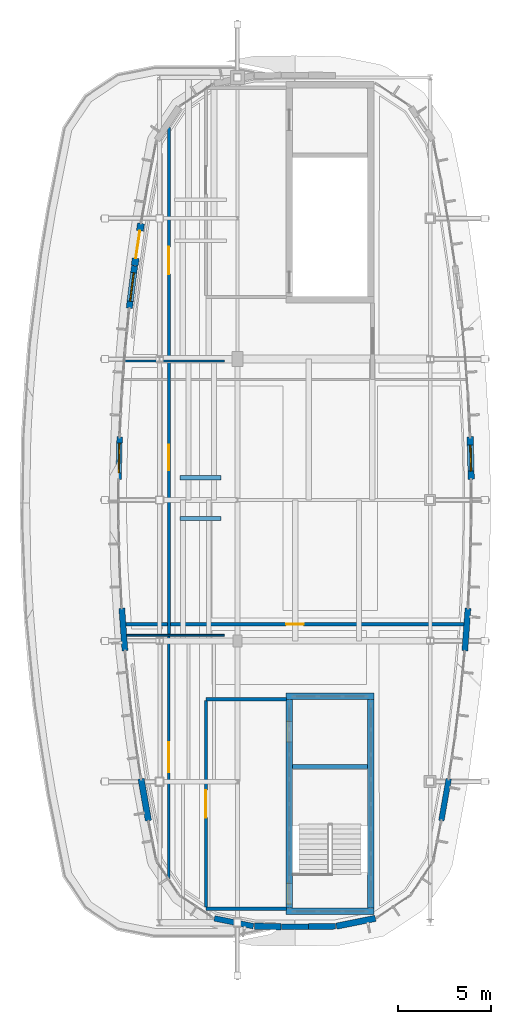
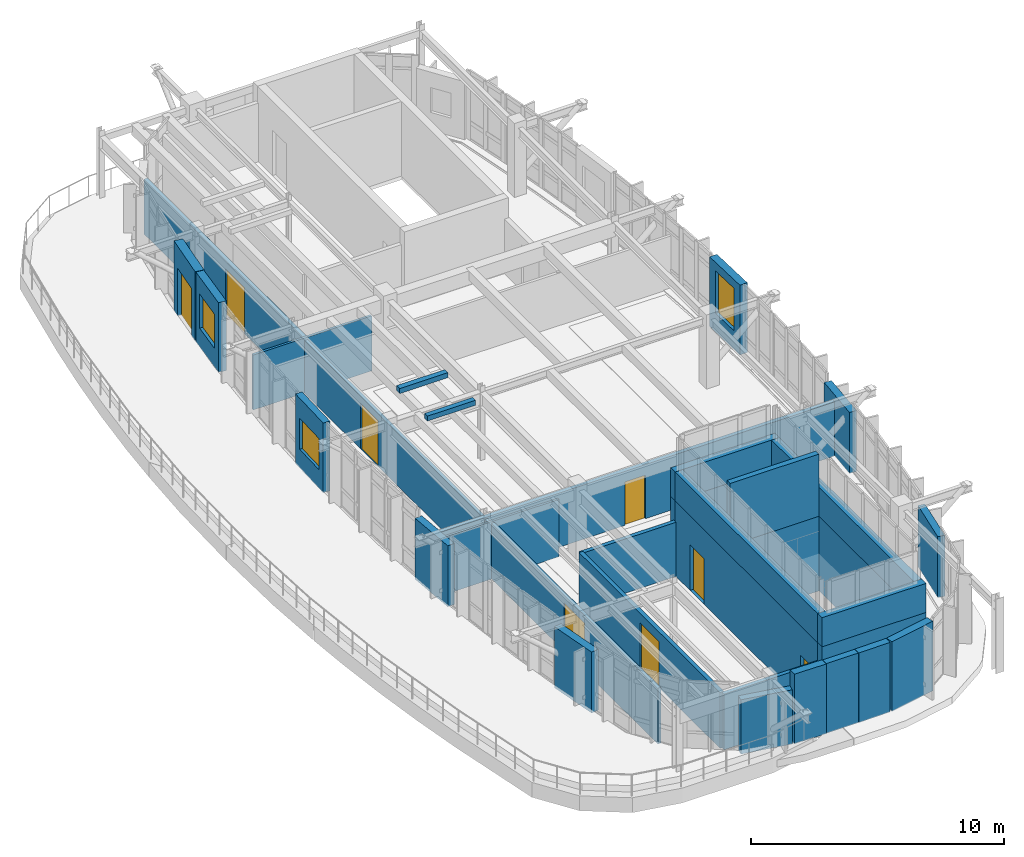
# One storey, part 16 of 20: 34 walls, 8 doors, 3 windows, 11 openings.
"""IFC4 building model written with IfcOpenShell, lengths in metres."""

from ifc_helpers import new_model, si_unit, direction, frame, frame_2d, origin, place, context, subcontext, project, spatial, rectangle, extrude, material, layer, layer_set, type_object, element, fill, save


model = new_model("IFC4")

# Units and contexts
model_context = context("Model", 3, precision=1e-05, world=origin(), true_north=direction((0.0, 1.0)))
body_context = subcontext(model_context, "Body", "Model", "MODEL_VIEW")
ifc_project = project(units=[si_unit("LENGTHUNIT", "METRE"), si_unit("AREAUNIT", "SQUARE_METRE"), si_unit("VOLUMEUNIT", "CUBIC_METRE"), si_unit("PLANEANGLEUNIT", "RADIAN"), si_unit("MASSUNIT", "GRAM", prefix="KILO")], contexts=[model_context])

# Site, building, storey
site_placement = place(None, origin())
site = spatial("IfcSite", under=ifc_project, at=site_placement, CompositionType="ELEMENT")
building_placement = place(site_placement, origin())
building = spatial("IfcBuilding", under=site, at=building_placement, Name="Corveleigh Park Community Centre", CompositionType="ELEMENT")
storey_placement = place(building_placement, frame((0.0, 0.0, 19.800048828125)))
storey = spatial("IfcBuildingStorey", under=building, at=storey_placement, Name="L05", CompositionType="ELEMENT", Elevation=19.800048828125)

# Walls
ifc_material_1 = material(Name="Precast concrete C40/50", Category="concrete")
ifc_layer_1 = layer(ifc_material_1, 0.300048828125, Name="Precast concrete C40/50", Category="concrete")
ifc_layer_set_1 = layer_set([ifc_layer_1], Name="Precast concrete C40/50")
wall_type_1 = type_object("IfcWallType", Name="WL-EXT-300", PredefinedType="STANDARD", material=ifc_layer_set_1)
wall_1_placement = place(storey_placement, frame((161.8291015625, 58.376953125, 0.0), z_axis=(0.0, 0.0, 1.0), x_axis=(-1.0, 0.0, 0.0)))
element("IfcWall", 1, at=wall_1_placement, inside=storey, type_object=wall_type_1, Name="V4 L05 Precast Facade Wall", PredefinedType="STANDARD", context=body_context, shape_type="SweptSolid", body=[
    extrude(rectangle(XDim=1.4580078125, YDim=0.300048828125, at=frame_2d((0.72900390625, 0.0))), origin(), (0.0, 0.0, 1.0), 3.364013671875),
])
wall_2_placement = place(storey_placement, frame((169.40087890625, 66.35888671875, 0.0), z_axis=(0.0, 0.0, 1.0), x_axis=(-0.17402169586, -0.984741818636, 0.0)))
element("IfcWall", 2, at=wall_2_placement, inside=storey, type_object=wall_type_1, Name="V4 L05 Precast Facade Wall", PredefinedType="STANDARD", context=body_context, shape_type="SweptSolid", body=[
    extrude(rectangle(XDim=2.298095703125, YDim=0.300048828125, at=frame_2d((1.14892578125, 0.0))), origin(), (0.0, 0.0, 1.0), 2.94287109375),
])

# Wall, opening, window
wall_3_placement = place(storey_placement, frame((151.5849609375, 82.51708984375, 0.0), z_axis=(0.0, 0.0, 1.0), x_axis=(0.025300278118, 0.999679896731, 0.0)))
wall_3 = element("IfcWall", 3, at=wall_3_placement, inside=storey, type_object=wall_type_1, Name="V4 L05 Precast Facade Wall", PredefinedType="STANDARD", context=body_context, shape_type="SweptSolid", body=[
    extrude(rectangle(XDim=2.296630859375, YDim=0.300048828125, at=frame_2d((1.1484375, 0.0))), origin(), (0.0, 0.0, 1.0), 3.364013671875),
])
opening_1_placement = place(wall_3_placement, frame((0.34912109375, 0.0, 0.89990234375)))
opening_1 = element("IfcOpeningElement", 4, at=opening_1_placement, cuts=wall_3, Name="Opening W13", PredefinedType="OPENING", context=body_context, shape_type="SweptSolid", body=[
    extrude(rectangle(XDim=1.60009765625, YDim=1.5, at=frame_2d((0.800048828125, 0.75))), frame((0.0, 0.159912109375, 0.0), z_axis=(0.0, -1.0, 0.0), x_axis=(1.0, 0.0, 0.0)), (0.0, 0.0, 1.0), 0.320068359375),
])
ifc_material_2 = material(Name="Low-E double glazing", Category="glass")
window_type_1 = type_object("IfcWindowType", Name="WIN-EXT-1600x1500", PartitioningType="SINGLE_PANEL", PredefinedType="WINDOW", material=ifc_material_2)
window_1_placement = place(opening_1_placement, origin())
window_1 = element("IfcWindow", 5, at=window_1_placement, inside=storey, type_object=window_type_1, Name="V4 L05 Window 85", OverallHeight=1.5, OverallWidth=1.60009765625, PartitioningType="SINGLE_PANEL", PredefinedType="WINDOW", context=body_context, shape_type="SweptSolid", body=[
    extrude(rectangle(XDim=1.60009765625, YDim=1.5, at=frame_2d((0.800048828125, 0.75))), frame((0.0, 0.030029296875, 0.0), z_axis=(0.0, -1.0, 0.0), x_axis=(1.0, 0.0, 0.0)), (0.0, 0.0, 1.0), 0.06005859375),
])
fill(opening_1, window_1)

# Walls
wall_4_placement = place(storey_placement, frame((158.864013671875, 58.405029296875, 0.0), z_axis=(0.0, 0.0, 1.0), x_axis=(-0.980837468909, 0.19482776903, 0.0)))
element("IfcWall", 6, at=wall_4_placement, inside=storey, type_object=wall_type_1, Name="V4 L05 Precast Facade Wall", PredefinedType="STANDARD", context=body_context, shape_type="SweptSolid", body=[
    extrude(rectangle(XDim=2.150390625, YDim=0.300048828125, at=frame_2d((1.0751953125, 0.0))), origin(), (0.0, 0.0, 1.0), 2.619873046875),
])
ifc_layer_2 = layer(ifc_material_1, 0.320068359375, Name="Precast concrete C40/50", Category="concrete")
ifc_layer_set_2 = layer_set([ifc_layer_2], Name="Precast concrete C40/50")
wall_type_2 = type_object("IfcWallType", Name="WL-EXT-320", PredefinedType="STANDARD", material=ifc_layer_set_2)
wall_5_placement = place(storey_placement, frame((163.2880859375, 58.39990234375, 0.0), z_axis=(0.0, 0.0, 1.0), x_axis=(-0.999873578357, -0.015900544132, 0.0)))
element("IfcWall", 7, at=wall_5_placement, inside=storey, type_object=wall_type_2, Name="V4 L05 Precast Facade Wall", PredefinedType="STANDARD", context=body_context, shape_type="SweptSolid", body=[
    extrude(rectangle(XDim=1.443359375, YDim=0.320068359375, at=frame_2d((0.7216796875, 0.0))), origin(), (0.0, 0.0, 1.0), 3.364013671875),
])
for number, where, z_axis, x_axis, name in (
    (8, (170.43994140625, 75.55810546875, 0.0), (0.0, 0.0, 1.0), (-0.074356858535, -0.997231697044, 0.0), "V4 L05 Precast Facade Wall"),
    (9, (151.930908203125, 73.26611328125, 0.0), (0.0, 0.0, 1.0), (-0.074356858535, 0.997231697044, 0.0), "V4 L05 Precast Facade Wall"),
):
    element("IfcWall", number, at=place(storey_placement, frame(where, z_axis=z_axis, x_axis=x_axis)), inside=storey, type_object=wall_type_2, Name=name, PredefinedType="STANDARD", context=body_context, shape_type="SweptSolid", body=[
        extrude(rectangle(XDim=2.29833984375, YDim=0.320068359375, at=frame_2d((1.149169921875, 0.0))), origin(), (0.0, 0.0, 1.0), 2.94287109375),
    ])
ifc_layer_3 = layer(ifc_material_1, 0.340087890625, Name="Precast concrete C40/50", Category="concrete")
ifc_layer_set_3 = layer_set([ifc_layer_3], Name="Precast concrete C40/50")
wall_type_3 = type_object("IfcWallType", Name="WL-EXT-340", PredefinedType="STANDARD", material=ifc_layer_set_3)
wall_6_placement = place(storey_placement, frame((160.35498046875, 58.376953125, 0.0), z_axis=(0.0, 0.0, 1.0), x_axis=(-0.999873535579, 0.015903233899, 0.0)))
element("IfcWall", 10, at=wall_6_placement, inside=storey, type_object=wall_type_3, Name="V4 L05 Precast Facade Wall", PredefinedType="STANDARD", context=body_context, shape_type="SweptSolid", body=[
    extrude(rectangle(XDim=1.443115234375, YDim=0.340087890625, at=frame_2d((0.7216796875, 0.0))), origin(), (0.0, 0.0, 1.0), 3.364013671875),
])
wall_7_placement = place(storey_placement, frame((165.445068359375, 58.823974609375, 0.0), z_axis=(0.0, 0.0, 1.0), x_axis=(-0.980837468909, -0.19482776903, 0.0)))
element("IfcWall", 11, at=wall_7_placement, inside=storey, type_object=wall_type_3, Name="V4 L05 Precast Facade Wall", PredefinedType="STANDARD", context=body_context, shape_type="SweptSolid", body=[
    extrude(rectangle(XDim=2.150390625, YDim=0.340087890625, at=frame_2d((1.0751953125, 0.0))), origin(), (0.0, 0.0, 1.0), 3.364013671875),
])

# Wall, opening, window
wall_8_placement = place(storey_placement, frame((170.556884765625, 84.81298828125, 0.0), z_axis=(0.0, 0.0, 1.0), x_axis=(0.025300278118, -0.999679896731, 0.0)))
wall_8 = element("IfcWall", 12, at=wall_8_placement, inside=storey, type_object=wall_type_3, Name="V4 L05 Precast Facade Wall", PredefinedType="STANDARD", context=body_context, shape_type="SweptSolid", body=[
    extrude(rectangle(XDim=2.296630859375, YDim=0.340087890625, at=frame_2d((1.1484375, 0.0))), origin(), (0.0, 0.0, 1.0), 3.364013671875),
])
opening_2_placement = place(wall_8_placement, frame((0.448974609375, 0.0, 0.89990234375)))
opening_2 = element("IfcOpeningElement", 13, at=opening_2_placement, cuts=wall_8, Name="Opening W09", PredefinedType="OPENING", context=body_context, shape_type="SweptSolid", body=[
    extrude(rectangle(XDim=1.39990234375, YDim=2.050048828125, at=frame_2d((0.699951171875, 1.02490234375))), frame((0.0, 0.179931640625, 0.0), z_axis=(0.0, -1.0, 0.0), x_axis=(1.0, 0.0, 0.0)), (0.0, 0.0, 1.0), 0.360107421875),
])
window_type_2 = type_object("IfcWindowType", Name="WIN-EXT-1400x2050", PartitioningType="SINGLE_PANEL", PredefinedType="WINDOW", material=ifc_material_2)
window_2_placement = place(opening_2_placement, origin())
window_2 = element("IfcWindow", 14, at=window_2_placement, inside=storey, type_object=window_type_2, Name="V4 L05 Window 81", OverallHeight=2.050048828125, OverallWidth=1.39990234375, PartitioningType="SINGLE_PANEL", PredefinedType="WINDOW", context=body_context, shape_type="SweptSolid", body=[
    extrude(rectangle(XDim=1.39990234375, YDim=2.050048828125, at=frame_2d((0.699951171875, 1.02490234375))), frame((0.0, 0.030029296875, 0.0), z_axis=(0.0, -1.0, 0.0), x_axis=(1.0, 0.0, 0.0)), (0.0, 0.0, 1.0), 0.06005859375),
])
fill(opening_2, window_2)

wall_9_placement = place(storey_placement, frame((152.1640625, 91.7548828125, 0.0), z_axis=(0.0, 0.0, 1.0), x_axis=(0.124832313753, 0.992177853735, 0.0)))
wall_9 = element("IfcWall", 15, at=wall_9_placement, inside=storey, type_object=wall_type_3, Name="V4 L05 Precast Facade Wall", PredefinedType="STANDARD", context=body_context, shape_type="SweptSolid", body=[
    extrude(rectangle(XDim=2.298095703125, YDim=0.340087890625, at=frame_2d((1.14892578125, 0.0))), origin(), (0.0, 0.0, 1.0), 3.364013671875),
])
opening_3_placement = place(wall_9_placement, frame((0.3740234375, 0.0, 0.89990234375)))
opening_3 = element("IfcOpeningElement", 16, at=opening_3_placement, cuts=wall_9, Name="Opening W12", PredefinedType="OPENING", context=body_context, shape_type="SweptSolid", body=[
    extrude(rectangle(XDim=1.550048828125, YDim=1.64990234375, at=frame_2d((0.77490234375, 0.824951171875))), frame((0.0, 0.179931640625, 0.0), z_axis=(0.0, -1.0, 0.0), x_axis=(1.0, 0.0, 0.0)), (0.0, 0.0, 1.0), 0.360107421875),
])
window_type_3 = type_object("IfcWindowType", Name="WIN-EXT-1550x1650", PartitioningType="SINGLE_PANEL", PredefinedType="WINDOW", material=ifc_material_2)
window_3_placement = place(opening_3_placement, origin())
window_3 = element("IfcWindow", 17, at=window_3_placement, inside=storey, type_object=window_type_3, Name="V4 L05 Window 84", OverallHeight=1.64990234375, OverallWidth=1.550048828125, PartitioningType="SINGLE_PANEL", PredefinedType="WINDOW", context=body_context, shape_type="SweptSolid", body=[
    extrude(rectangle(XDim=1.550048828125, YDim=1.64990234375, at=frame_2d((0.77490234375, 0.824951171875))), frame((0.0, 0.030029296875, 0.0), z_axis=(0.0, -1.0, 0.0), x_axis=(1.0, 0.0, 0.0)), (0.0, 0.0, 1.0), 0.06005859375),
])
fill(opening_3, window_3)

# Wall
wall_10_placement = place(storey_placement, frame((153.198974609375, 64.095947265625, 0.0), z_axis=(0.0, 0.0, 1.0), x_axis=(-0.17402169586, 0.984741818636, 0.0)))
element("IfcWall", 18, at=wall_10_placement, inside=storey, type_object=wall_type_3, Name="V4 L05 Precast Facade Wall", PredefinedType="STANDARD", context=body_context, shape_type="SweptSolid", body=[
    extrude(rectangle(XDim=2.298095703125, YDim=0.340087890625, at=frame_2d((1.14892578125, 0.0))), origin(), (0.0, 0.0, 1.0), 2.94287109375),
])

# Wall, opening, door
ifc_layer_4 = layer(ifc_material_1, 0.3798828125, Name="Precast concrete C40/50", Category="concrete")
ifc_layer_set_4 = layer_set([ifc_layer_4], Name="Precast concrete C40/50")
wall_type_4 = type_object("IfcWallType", Name="WL-EXT-380", PredefinedType="STANDARD", material=ifc_layer_set_4)
wall_11_placement = place(storey_placement, frame((152.452880859375, 94.051025390625, 0.0), z_axis=(0.0, 0.0, 1.0), x_axis=(0.149286014315, 0.988794056379, 0.0)))
wall_11 = element("IfcWall", 19, at=wall_11_placement, inside=storey, type_object=wall_type_4, Name="V4 terrace wall", PredefinedType="STANDARD", context=body_context, shape_type="SweptSolid", body=[
    extrude(rectangle(XDim=2.297607421875, YDim=0.3798828125, at=frame_2d((1.14892578125, 0.0))), origin(), (0.0, 0.0, 1.0), 3.364013671875),
])
opening_4_placement = place(wall_11_placement, frame((0.39892578125, 0.0, 0.0)))
opening_4 = element("IfcOpeningElement", 20, at=opening_4_placement, cuts=wall_11, Name="Opening ED04", PredefinedType="OPENING", context=body_context, shape_type="SweptSolid", body=[
    extrude(rectangle(XDim=1.5, YDim=2.300048828125, at=frame_2d((0.75, 1.14990234375))), frame((0.0, 0.199951171875, 0.0), z_axis=(0.0, -1.0, 0.0), x_axis=(1.0, 0.0, 0.0)), (0.0, 0.0, 1.0), 0.39990234375),
])
ifc_material_3 = material(Name="Powder-coated aluminium glazed door", Category="aluminium")
door_type_1 = type_object("IfcDoorType", Name="DR-EXT-1500x2300", OperationType="DOUBLE_DOOR_SINGLE_SWING", PredefinedType="DOOR", material=ifc_material_3)
door_1_placement = place(opening_4_placement, origin())
door_1 = element("IfcDoor", 21, at=door_1_placement, inside=storey, type_object=door_type_1, Name="Step 5 Crown Botanical Terrace access door", OperationType="DOUBLE_DOOR_SINGLE_SWING", OverallHeight=2.300048828125, OverallWidth=1.5, PredefinedType="DOOR", context=body_context, shape_type="SweptSolid", body=[
    extrude(rectangle(XDim=1.5, YDim=2.300048828125, at=frame_2d((0.75, 1.14990234375))), frame((0.0, 0.02490234375, 0.0), z_axis=(0.0, -1.0, 0.0), x_axis=(1.0, 0.0, 0.0)), (0.0, 0.0, 1.0), 0.050048828125),
])
fill(opening_4, door_1)

# Walls
ifc_layer_5 = layer(ifc_material_1, 0.22509765625, Name="Precast concrete C40/50", Category="concrete")
ifc_layer_set_5 = layer_set([ifc_layer_5], Name="Precast concrete C40/50")
wall_type_5 = type_object("IfcWallType", Name="WL-PRP-225", PredefinedType="PARAPET", material=ifc_layer_set_5)
wall_12_placement = place(storey_placement, frame((154.89990234375, 80.39990234375, 3.599853515625), z_axis=(0.0, 0.0, 1.0), x_axis=(1.0, 0.0, 0.0)))
element("IfcWall", 22, at=wall_12_placement, inside=storey, type_object=wall_type_5, Name="Skylight upstand curb parapet 7", PredefinedType="PARAPET", context=body_context, shape_type="SweptSolid", body=[
    extrude(rectangle(XDim=2.2001953125, YDim=0.22509765625, at=frame_2d((1.10009765625, 0.0))), origin(), (0.0, 0.0, 1.0), 0.239990234375),
])
ifc_layer_6 = layer(ifc_material_1, 0.2451171875, Name="Precast concrete C40/50", Category="concrete")
ifc_layer_set_6 = layer_set([ifc_layer_6], Name="Precast concrete C40/50")
wall_type_6 = type_object("IfcWallType", Name="WL-PRP-245", PredefinedType="PARAPET", material=ifc_layer_set_6)
wall_13_placement = place(storey_placement, frame((157.10009765625, 82.60009765625, 3.599853515625), z_axis=(0.0, 0.0, 1.0), x_axis=(-1.0, 0.0, 0.0)))
element("IfcWall", 23, at=wall_13_placement, inside=storey, type_object=wall_type_6, Name="Skylight upstand curb parapet 8", PredefinedType="PARAPET", context=body_context, shape_type="SweptSolid", body=[
    extrude(rectangle(XDim=2.2001953125, YDim=0.2451171875, at=frame_2d((1.10009765625, 0.0))), origin(), (0.0, 0.0, 1.0), 0.239990234375),
])
ifc_material_4 = material(Name="Gypsum acoustic stud partition", Category="gypsum")
ifc_layer_7 = layer(ifc_material_4, 0.10009765625, Name="Gypsum acoustic stud partition", Category="gypsum")
ifc_layer_set_7 = layer_set([ifc_layer_7], Name="Gypsum acoustic stud partition")
wall_type_7 = type_object("IfcWallType", Name="WL-PRT-100", PredefinedType="PARTITIONING", material=ifc_layer_set_7)
wall_14_placement = place(storey_placement, frame((152.01708984375, 74.10009765625, 0.0), z_axis=(0.0, 0.0, 1.0), x_axis=(1.0, 0.0, 0.0)))
element("IfcWall", 24, at=wall_14_placement, inside=storey, type_object=wall_type_7, Name="Environmental Science Classroom partition", PredefinedType="PARTITIONING", context=body_context, shape_type="SweptSolid", body=[
    extrude(rectangle(XDim=5.282958984375, YDim=0.10009765625, at=frame_2d((2.6416015625, 0.0))), origin(), (0.0, 0.0, 1.0), 2.766845703125),
])
ifc_layer_8 = layer(ifc_material_4, 0.114990234375, Name="Gypsum acoustic stud partition", Category="gypsum")
ifc_layer_set_8 = layer_set([ifc_layer_8], Name="Gypsum acoustic stud partition")
wall_type_8 = type_object("IfcWallType", Name="WL-PRT-115", PredefinedType="PARTITIONING", material=ifc_layer_set_8)
wall_15_placement = place(storey_placement, frame((151.89111328125, 88.89990234375, 0.0), z_axis=(0.0, 0.0, 1.0), x_axis=(1.0, 0.0, 0.0)))
element("IfcWall", 25, at=wall_15_placement, inside=storey, type_object=wall_type_8, Name="Trust Administration Suite partition", PredefinedType="PARTITIONING", context=body_context, shape_type="SweptSolid", body=[
    extrude(rectangle(XDim=5.408935546875, YDim=0.114990234375, at=frame_2d((2.70458984375, 0.0))), origin(), (0.0, 0.0, 1.0), 2.64990234375),
])

# Wall, opening, door
ifc_layer_9 = layer(ifc_material_4, 0.139892578125, Name="Gypsum acoustic stud partition", Category="gypsum")
ifc_layer_set_9 = layer_set([ifc_layer_9], Name="Gypsum acoustic stud partition")
wall_type_9 = type_object("IfcWallType", Name="WL-PRT-140", PredefinedType="PARTITIONING", material=ifc_layer_set_9)
wall_16_placement = place(storey_placement, frame((154.300048828125, 74.10009765625, 0.0), z_axis=(0.0, 0.0, 1.0), x_axis=(0.0, -1.0, 0.0)))
wall_16 = element("IfcWall", 26, at=wall_16_placement, inside=storey, type_object=wall_type_9, Name="Environmental Science Classroom corridor wall", PredefinedType="PARTITIONING", context=body_context, shape_type="SweptSolid", body=[
    extrude(rectangle(XDim=13.18701171875, YDim=0.139892578125, at=frame_2d((6.593505859375, 0.0))), origin(), (0.0, 0.0, 1.0), 2.69189453125),
])
opening_5_placement = place(wall_16_placement, frame((5.782958984375, 0.0, 0.0)))
opening_5 = element("IfcOpeningElement", 27, at=opening_5_placement, cuts=wall_16, Name="Opening FD07", PredefinedType="OPENING", context=body_context, shape_type="SweptSolid", body=[
    extrude(rectangle(XDim=1.6201171875, YDim=2.320068359375, at=frame_2d((0.81005859375, 1.16015625))), frame((0.0, 0.079833984375, 0.0), z_axis=(0.0, -1.0, 0.0), x_axis=(1.0, 0.0, 0.0)), (0.0, 0.0, 1.0), 0.159912109375),
])
ifc_material_5 = material(Name="Hardwood acoustic door leaf", Category="wood")
door_type_2 = type_object("IfcDoorType", Name="DR-FIR-1620x2320", OperationType="DOUBLE_DOOR_SINGLE_SWING", PredefinedType="DOOR", material=ifc_material_5)
door_2_placement = place(opening_5_placement, origin())
door_2 = element("IfcDoor", 28, at=door_2_placement, inside=storey, type_object=door_type_2, Name="Environmental Science Classroom door", OperationType="DOUBLE_DOOR_SINGLE_SWING", OverallHeight=2.320068359375, OverallWidth=1.6201171875, PredefinedType="DOOR", context=body_context, shape_type="SweptSolid", body=[
    extrude(rectangle(XDim=1.6201171875, YDim=2.320068359375, at=frame_2d((0.81005859375, 1.16015625))), frame((0.0, 0.02490234375, 0.0), z_axis=(0.0, -1.0, 0.0), x_axis=(1.0, 0.0, 0.0)), (0.0, 0.0, 1.0), 0.050048828125),
])
fill(opening_5, door_2)

ifc_layer_10 = layer(ifc_material_4, 0.14990234375, Name="Gypsum acoustic stud partition", Category="gypsum")
ifc_layer_set_10 = layer_set([ifc_layer_10], Name="Gypsum acoustic stud partition")
wall_type_10 = type_object("IfcWallType", Name="WL-PRT-150", PredefinedType="PARTITIONING", material=ifc_layer_set_10)
wall_17_placement = place(storey_placement, frame((154.300048828125, 88.89990234375, 0.0), z_axis=(0.0, 0.0, 1.0), x_axis=(0.0, -1.0, 0.0)))
wall_17 = element("IfcWall", 29, at=wall_17_placement, inside=storey, type_object=wall_type_10, Name="Trust Administration Suite corridor wall", PredefinedType="PARTITIONING", context=body_context, shape_type="SweptSolid", body=[
    extrude(rectangle(XDim=14.7998046875, YDim=0.14990234375, at=frame_2d((7.39990234375, 0.0))), origin(), (0.0, 0.0, 1.0), 2.537841796875),
])
opening_6_placement = place(wall_17_placement, frame((4.510009765625, 0.0, 0.0)))
opening_6 = element("IfcOpeningElement", 30, at=opening_6_placement, cuts=wall_17, Name="Opening FD02", PredefinedType="OPENING", context=body_context, shape_type="SweptSolid", body=[
    extrude(rectangle(XDim=1.3798828125, YDim=2.199951171875, at=frame_2d((0.68994140625, 1.10009765625))), frame((0.0, 0.0849609375, 0.0), z_axis=(0.0, -1.0, 0.0), x_axis=(1.0, 0.0, 0.0)), (0.0, 0.0, 1.0), 0.169921875),
])
door_type_3 = type_object("IfcDoorType", Name="DR-FIR-1380x2200", OperationType="DOUBLE_DOOR_SINGLE_SWING", PredefinedType="DOOR", material=ifc_material_5)
door_3_placement = place(opening_6_placement, origin())
door_3 = element("IfcDoor", 31, at=door_3_placement, inside=storey, type_object=door_type_3, Name="Trust Administration Suite door", OperationType="DOUBLE_DOOR_SINGLE_SWING", OverallHeight=2.199951171875, OverallWidth=1.3798828125, PredefinedType="DOOR", context=body_context, shape_type="SweptSolid", body=[
    extrude(rectangle(XDim=1.3798828125, YDim=2.199951171875, at=frame_2d((0.68994140625, 1.10009765625))), frame((0.0, 0.02490234375, 0.0), z_axis=(0.0, -1.0, 0.0), x_axis=(1.0, 0.0, 0.0)), (0.0, 0.0, 1.0), 0.050048828125),
])
fill(opening_6, door_3)

ifc_layer_11 = layer(ifc_material_4, 0.1650390625, Name="Gypsum acoustic stud partition", Category="gypsum")
ifc_layer_set_11 = layer_set([ifc_layer_11], Name="Gypsum acoustic stud partition")
wall_type_11 = type_object("IfcWallType", Name="WL-PRT-165", PredefinedType="PARTITIONING", material=ifc_layer_set_11)
wall_18_placement = place(storey_placement, frame((154.300048828125, 101.5029296875, 0.0), z_axis=(0.0, 0.0, 1.0), x_axis=(0.0, -1.0, 0.0)))
wall_18 = element("IfcWall", 32, at=wall_18_placement, inside=storey, type_object=wall_type_11, Name="Accessible and Public Toilets L05 corridor wall", PredefinedType="PARTITIONING", context=body_context, shape_type="SweptSolid", body=[
    extrude(rectangle(XDim=12.60302734375, YDim=0.1650390625, at=frame_2d((6.301513671875, 0.0))), origin(), (0.0, 0.0, 1.0), 2.64990234375),
])
opening_7_placement = place(wall_18_placement, frame((6.44091796875, 0.0, 0.0)))
opening_7 = element("IfcOpeningElement", 33, at=opening_7_placement, cuts=wall_18, Name="Opening FD01", PredefinedType="OPENING", context=body_context, shape_type="SweptSolid", body=[
    extrude(rectangle(XDim=1.47998046875, YDim=2.219970703125, at=frame_2d((0.739990234375, 1.10986328125))), frame((0.0, 0.092529296875, 0.0), z_axis=(0.0, -1.0, 0.0), x_axis=(1.0, 0.0, 0.0)), (0.0, 0.0, 1.0), 0.18505859375),
])
door_type_4 = type_object("IfcDoorType", Name="DR-FIR-1480x2220", OperationType="DOUBLE_DOOR_SINGLE_SWING", PredefinedType="DOOR", material=ifc_material_5)
door_4_placement = place(opening_7_placement, origin())
door_4 = element("IfcDoor", 34, at=door_4_placement, inside=storey, type_object=door_type_4, Name="Accessible and Public Toilets L05 door", OperationType="DOUBLE_DOOR_SINGLE_SWING", OverallHeight=2.219970703125, OverallWidth=1.47998046875, PredefinedType="DOOR", context=body_context, shape_type="SweptSolid", body=[
    extrude(rectangle(XDim=1.47998046875, YDim=2.219970703125, at=frame_2d((0.739990234375, 1.10986328125))), frame((0.0, 0.02490234375, 0.0), z_axis=(0.0, -1.0, 0.0), x_axis=(1.0, 0.0, 0.0)), (0.0, 0.0, 1.0), 0.050048828125),
])
fill(opening_7, door_4)

# Walls
ifc_layer_12 = layer(ifc_material_4, 0.179931640625, Name="Gypsum acoustic stud partition", Category="gypsum")
ifc_layer_set_12 = layer_set([ifc_layer_12], Name="Gypsum acoustic stud partition")
wall_type_12 = type_object("IfcWallType", Name="WL-PRT-180", PredefinedType="PARTITIONING", material=ifc_layer_set_12)
wall_19_placement = place(storey_placement, frame((156.300048828125, 59.35009765625, 0.0), z_axis=(0.0, 0.0, 1.0), x_axis=(1.0, 0.0, 0.0)))
element("IfcWall", 35, at=wall_19_placement, inside=storey, type_object=wall_type_12, Name="CORE1 lobby south wall", PredefinedType="PARTITIONING", context=body_context, shape_type="SweptSolid", body=[
    extrude(rectangle(XDim=4.33984375, YDim=0.179931640625, at=frame_2d((2.169921875, 0.0))), origin(), (0.0, 0.0, 1.0), 2.68798828125),
])
wall_20_placement = place(storey_placement, frame((160.639892578125, 70.64990234375, 0.0), z_axis=(0.0, 0.0, 1.0), x_axis=(-1.0, 0.0, 0.0)))
element("IfcWall", 36, at=wall_20_placement, inside=storey, type_object=wall_type_12, Name="CORE1 lobby north wall", PredefinedType="PARTITIONING", context=body_context, shape_type="SweptSolid", body=[
    extrude(rectangle(XDim=4.33984375, YDim=0.179931640625, at=frame_2d((2.169921875, 0.0))), origin(), (0.0, 0.0, 1.0), 2.615966796875),
])

# Wall, opening, door
wall_21_placement = place(storey_placement, frame((156.300048828125, 70.570068359375, 0.0), z_axis=(0.0, 0.0, 1.0), x_axis=(0.0, -1.0, 0.0)))
wall_21 = element("IfcWall", 37, at=wall_21_placement, inside=storey, type_object=wall_type_12, Name="CORE1 lobby corridor wall", PredefinedType="PARTITIONING", context=body_context, shape_type="SweptSolid", body=[
    extrude(rectangle(XDim=11.14013671875, YDim=0.179931640625, at=frame_2d((5.570068359375, 0.0))), origin(), (0.0, 0.0, 1.0), 2.69189453125),
])
opening_8_placement = place(wall_21_placement, frame((4.830078125, 0.0, 0.0)))
opening_8 = element("IfcOpeningElement", 38, at=opening_8_placement, cuts=wall_21, Name="Opening FD01", PredefinedType="OPENING", context=body_context, shape_type="SweptSolid", body=[
    extrude(rectangle(XDim=1.47998046875, YDim=2.219970703125, at=frame_2d((0.739990234375, 1.10986328125))), frame((0.0, 0.099853515625, 0.0), z_axis=(0.0, -1.0, 0.0), x_axis=(1.0, 0.0, 0.0)), (0.0, 0.0, 1.0), 0.199951171875),
])
door_5_placement = place(opening_8_placement, origin())
door_5 = element("IfcDoor", 39, at=door_5_placement, inside=storey, type_object=door_type_4, Name="Lobby CORE1 corridor door L05", OperationType="DOUBLE_DOOR_SINGLE_SWING", OverallHeight=2.219970703125, OverallWidth=1.47998046875, PredefinedType="DOOR", context=body_context, shape_type="SweptSolid", body=[
    extrude(rectangle(XDim=1.47998046875, YDim=2.219970703125, at=frame_2d((0.739990234375, 1.10986328125))), frame((0.0, 0.02490234375, 0.0), z_axis=(0.0, -1.0, 0.0), x_axis=(1.0, 0.0, 0.0)), (0.0, 0.0, 1.0), 0.050048828125),
])
fill(opening_8, door_5)

wall_22_placement = place(storey_placement, frame((170.22802734375, 74.699951171875, 0.0), z_axis=(0.0, 0.0, 1.0), x_axis=(-1.0, 0.0, 0.0)))
wall_22 = element("IfcWall", 40, at=wall_22_placement, inside=storey, type_object=wall_type_12, Name="Community Art Gallery corridor wall", PredefinedType="PARTITIONING", context=body_context, shape_type="SweptSolid", body=[
    extrude(rectangle(XDim=18.256103515625, YDim=0.179931640625, at=frame_2d((9.1279296875, 0.0))), origin(), (0.0, 0.0, 1.0), 2.612060546875),
])
opening_9_placement = place(wall_22_placement, frame((8.657958984375, 0.0, 0.0)))
opening_9 = element("IfcOpeningElement", 41, at=opening_9_placement, cuts=wall_22, Name="Opening FD09", PredefinedType="OPENING", context=body_context, shape_type="SweptSolid", body=[
    extrude(rectangle(XDim=0.93994140625, YDim=2.10009765625, at=frame_2d((0.469970703125, 1.050048828125))), frame((0.0, 0.099853515625, 0.0), z_axis=(0.0, -1.0, 0.0), x_axis=(1.0, 0.0, 0.0)), (0.0, 0.0, 1.0), 0.199951171875),
])
door_type_5 = type_object("IfcDoorType", Name="DR-FIR-0940x2100", OperationType="NOTDEFINED", PredefinedType="DOOR", material=ifc_material_5)
door_6_placement = place(opening_9_placement, origin())
door_6 = element("IfcDoor", 42, at=door_6_placement, inside=storey, type_object=door_type_5, Name="Community Art Gallery door", OperationType="SINGLE_SWING_RIGHT", OverallHeight=2.10009765625, OverallWidth=0.93994140625, PredefinedType="DOOR", context=body_context, shape_type="SweptSolid", body=[
    extrude(rectangle(XDim=0.93994140625, YDim=2.10009765625, at=frame_2d((0.469970703125, 1.050048828125))), frame((0.0, 0.02490234375, 0.0), z_axis=(0.0, -1.0, 0.0), x_axis=(1.0, 0.0, 0.0)), (0.0, 0.0, 1.0), 0.050048828125),
])
fill(opening_9, door_6)

# Walls
ifc_material_6 = material(Name="Concrete C40/50", Category="concrete")
ifc_layer_13 = layer(ifc_material_6, 0.25, Name="Concrete C40/50", Category="concrete")
ifc_layer_set_13 = layer_set([ifc_layer_13], Name="Concrete C40/50")
wall_type_13 = type_object("IfcWallType", Name="WL-SHR-250", PredefinedType="SHEAR", material=ifc_layer_set_13)
wall_23_placement = place(storey_placement, frame((160.97509765625, 67.0, 0.0), z_axis=(0.0, 0.0, 1.0), x_axis=(1.0, 0.0, 0.0)))
element("IfcWall", 43, at=wall_23_placement, inside=storey, type_object=wall_type_13, Name="CORE1 shaft wall", PredefinedType="SHEAR", context=body_context, shape_type="SweptSolid", body=[
    extrude(rectangle(XDim=4.0498046875, YDim=0.25, at=frame_2d((2.02490234375, 0.0))), origin(), (0.0, 0.0, 1.0), 3.599853515625),
])
wall_24_placement = place(storey_placement, frame((160.97509765625, 67.0, 3.599853515625), z_axis=(0.0, 0.0, 1.0), x_axis=(1.0, 0.0, 0.0)))
element("IfcWall", 44, at=wall_24_placement, inside=storey, type_object=wall_type_13, Name="Stair ST1 lantern shaft wall", PredefinedType="SHEAR", context=body_context, shape_type="SweptSolid", body=[
    extrude(rectangle(XDim=4.0498046875, YDim=0.25, at=frame_2d((2.02490234375, 0.0))), origin(), (0.0, 0.0, 1.0), 3.0),
])
ifc_layer_14 = layer(ifc_material_6, 0.35009765625, Name="Concrete C40/50", Category="concrete")
ifc_layer_set_14 = layer_set([ifc_layer_14], Name="Concrete C40/50")
wall_type_14 = type_object("IfcWallType", Name="WL-SHR-350", PredefinedType="SHEAR", material=ifc_layer_set_14)
wall_25_placement = place(storey_placement, frame((160.625, 59.199951171875, 0.0), z_axis=(0.0, 0.0, 1.0), x_axis=(1.0, 0.0, 0.0)))
element("IfcWall", 45, at=wall_25_placement, inside=storey, type_object=wall_type_14, Name="CORE1 south shear wall", PredefinedType="SHEAR", context=body_context, shape_type="SweptSolid", body=[
    extrude(rectangle(XDim=4.75, YDim=0.35009765625, at=frame_2d((2.375, 0.0))), origin(), (0.0, 0.0, 1.0), 3.599853515625),
])
wall_26_placement = place(storey_placement, frame((165.199951171875, 59.375, 0.0), z_axis=(0.0, 0.0, 1.0), x_axis=(0.0, 1.0, 0.0)))
element("IfcWall", 46, at=wall_26_placement, inside=storey, type_object=wall_type_14, Name="CORE1 east shear wall", PredefinedType="SHEAR", context=body_context, shape_type="SweptSolid", body=[
    extrude(rectangle(XDim=11.25, YDim=0.35009765625, at=frame_2d((5.625, 0.0))), origin(), (0.0, 0.0, 1.0), 3.599853515625),
])
wall_27_placement = place(storey_placement, frame((165.375, 70.800048828125, 0.0), z_axis=(0.0, 0.0, 1.0), x_axis=(-1.0, 0.0, 0.0)))
element("IfcWall", 47, at=wall_27_placement, inside=storey, type_object=wall_type_14, Name="CORE1 north shear wall", PredefinedType="SHEAR", context=body_context, shape_type="SweptSolid", body=[
    extrude(rectangle(XDim=4.75, YDim=0.35009765625, at=frame_2d((2.375, 0.0))), origin(), (0.0, 0.0, 1.0), 3.599853515625),
])

# Wall, openings, doors
wall_28_placement = place(storey_placement, frame((160.800048828125, 70.625, 0.0), z_axis=(0.0, 0.0, 1.0), x_axis=(0.0, -1.0, 0.0)))
wall_28 = element("IfcWall", 48, at=wall_28_placement, inside=storey, type_object=wall_type_14, Name="CORE1 west lobby wall", PredefinedType="SHEAR", context=body_context, shape_type="SweptSolid", body=[
    extrude(rectangle(XDim=11.25, YDim=0.35009765625, at=frame_2d((5.625, 0.0))), origin(), (0.0, 0.0, 1.0), 3.599853515625),
])
opening_10_placement = place(wall_28_placement, frame((1.175048828125, 0.0, 0.0)))
opening_10 = element("IfcOpeningElement", 49, at=opening_10_placement, cuts=wall_28, Name="Opening LD01", PredefinedType="OPENING", context=body_context, shape_type="SweptSolid", body=[
    extrude(rectangle(XDim=1.10009765625, YDim=2.199951171875, at=frame_2d((0.550048828125, 1.10009765625))), frame((0.0, 0.18505859375, 0.0), z_axis=(0.0, -1.0, 0.0), x_axis=(1.0, 0.0, 0.0)), (0.0, 0.0, 1.0), 0.3701171875),
])
opening_11_placement = place(wall_28_placement, frame((9.9150390625, 0.0, 0.0)))
opening_11 = element("IfcOpeningElement", 50, at=opening_11_placement, cuts=wall_28, Name="Opening FD03", PredefinedType="OPENING", context=body_context, shape_type="SweptSolid", body=[
    extrude(rectangle(XDim=1.1201171875, YDim=2.159912109375, at=frame_2d((0.56005859375, 1.080078125))), frame((0.0, 0.18505859375, 0.0), z_axis=(0.0, -1.0, 0.0), x_axis=(1.0, 0.0, 0.0)), (0.0, 0.0, 1.0), 0.3701171875),
])
door_type_6 = type_object("IfcDoorType", Name="DR-FIR-1120x2160", OperationType="NOTDEFINED", PredefinedType="DOOR", material=ifc_material_5)
door_7_placement = place(opening_11_placement, origin())
door_7 = element("IfcDoor", 51, at=door_7_placement, inside=storey, type_object=door_type_6, Name="Stair ST1 fire door L05", OperationType="SINGLE_SWING_LEFT", OverallHeight=2.159912109375, OverallWidth=1.1201171875, PredefinedType="DOOR", context=body_context, shape_type="SweptSolid", body=[
    extrude(rectangle(XDim=1.1201171875, YDim=2.159912109375, at=frame_2d((0.56005859375, 1.080078125))), frame((0.0, 0.02490234375, 0.0), z_axis=(0.0, -1.0, 0.0), x_axis=(1.0, 0.0, 0.0)), (0.0, 0.0, 1.0), 0.050048828125),
])
fill(opening_11, door_7)
ifc_material_7 = material(Name="Brushed stainless steel lift car", Category="steel")
door_type_7 = type_object("IfcDoorType", Name="DR-LFT-1100x2200", OperationType="DOUBLE_DOOR_SLIDING", PredefinedType="DOOR", material=ifc_material_7)
door_8_placement = place(opening_10_placement, origin())
door_8 = element("IfcDoor", 52, at=door_8_placement, inside=storey, type_object=door_type_7, Name="Lift FL1 landing door L05", OperationType="DOUBLE_DOOR_SLIDING", OverallHeight=2.199951171875, OverallWidth=1.10009765625, PredefinedType="DOOR", context=body_context, shape_type="SweptSolid", body=[
    extrude(rectangle(XDim=1.10009765625, YDim=2.199951171875, at=frame_2d((0.550048828125, 1.10009765625))), frame((0.0, 0.02490234375, 0.0), z_axis=(0.0, -1.0, 0.0), x_axis=(1.0, 0.0, 0.0)), (0.0, 0.0, 1.0), 0.050048828125),
])
fill(opening_10, door_8)

# Walls
wall_29_placement = place(storey_placement, frame((160.625, 59.199951171875, 3.599853515625), z_axis=(0.0, 0.0, 1.0), x_axis=(1.0, 0.0, 0.0)))
element("IfcWall", 53, at=wall_29_placement, inside=storey, type_object=wall_type_14, Name="Stair ST1 lantern lower south wall", PredefinedType="SHEAR", context=body_context, shape_type="SweptSolid", body=[
    extrude(rectangle(XDim=4.75, YDim=0.35009765625, at=frame_2d((2.375, 0.0))), origin(), (0.0, 0.0, 1.0), 1.400146484375),
])
wall_30_placement = place(storey_placement, frame((165.199951171875, 59.375, 3.599853515625), z_axis=(0.0, 0.0, 1.0), x_axis=(0.0, 1.0, 0.0)))
element("IfcWall", 54, at=wall_30_placement, inside=storey, type_object=wall_type_14, Name="Stair ST1 lantern lower east wall", PredefinedType="SHEAR", context=body_context, shape_type="SweptSolid", body=[
    extrude(rectangle(XDim=11.25, YDim=0.35009765625, at=frame_2d((5.625, 0.0))), origin(), (0.0, 0.0, 1.0), 1.400146484375),
])
wall_31_placement = place(storey_placement, frame((165.375, 70.800048828125, 3.599853515625), z_axis=(0.0, 0.0, 1.0), x_axis=(-1.0, 0.0, 0.0)))
element("IfcWall", 55, at=wall_31_placement, inside=storey, type_object=wall_type_14, Name="Stair ST1 lantern lower north wall", PredefinedType="SHEAR", context=body_context, shape_type="SweptSolid", body=[
    extrude(rectangle(XDim=4.75, YDim=0.35009765625, at=frame_2d((2.375, 0.0))), origin(), (0.0, 0.0, 1.0), 1.400146484375),
])
wall_32_placement = place(storey_placement, frame((160.800048828125, 70.625, 3.599853515625), z_axis=(0.0, 0.0, 1.0), x_axis=(0.0, -1.0, 0.0)))
element("IfcWall", 56, at=wall_32_placement, inside=storey, type_object=wall_type_14, Name="Stair ST1 lantern lower west wall", PredefinedType="SHEAR", context=body_context, shape_type="SweptSolid", body=[
    extrude(rectangle(XDim=11.25, YDim=0.35009765625, at=frame_2d((5.625, 0.0))), origin(), (0.0, 0.0, 1.0), 1.400146484375),
])

save(model, "model.ifc")
